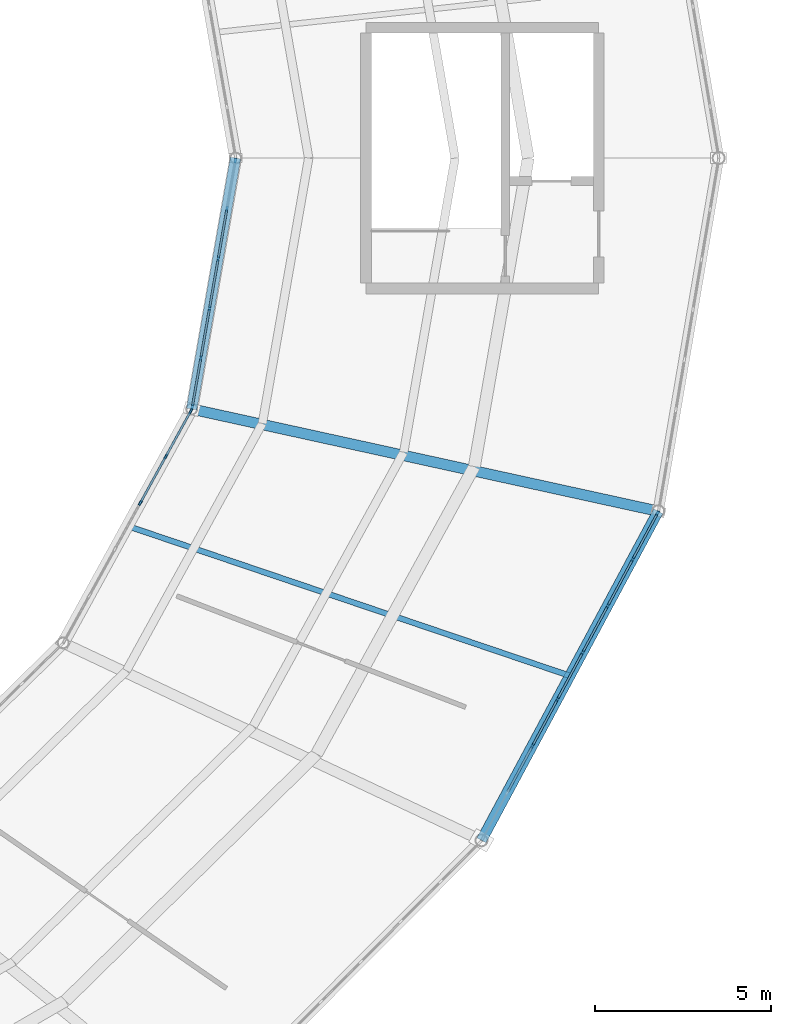
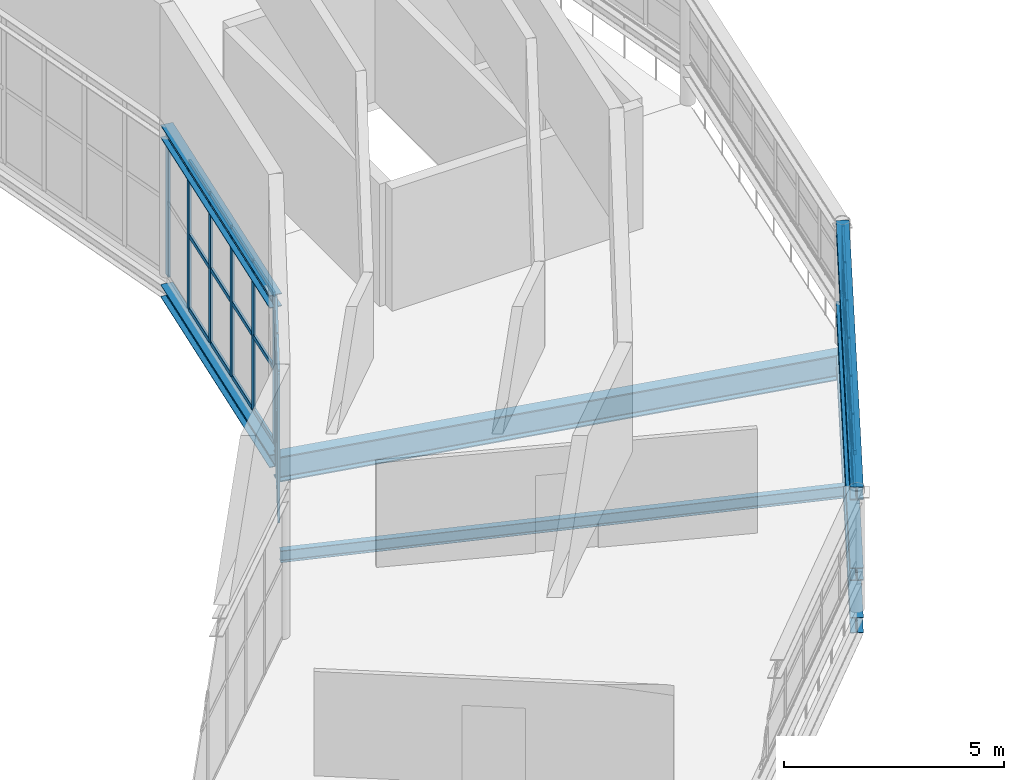
# One storey, part 63 of 123: 50 members, 7 beams, 3 elements without a shape of their own.
"""IFC4 building model written with IfcOpenShell, lengths in metres."""

from ifc_helpers import new_model, si_unit, direction, frame, origin, origin_2d, place, context, subcontext, project, spatial, rectangle, i_section, extrude, material, material_profile, profile_set, type_object, element, aggregate, save


model = new_model("IFC4")

# Units and contexts
model_context = context("Model", 3, precision=1e-05, world=origin(), true_north=direction((0.0, 1.0)))
body_context = subcontext(model_context, "Body", "Model", "MODEL_VIEW")
ifc_project = project(units=[si_unit("LENGTHUNIT", "METRE"), si_unit("AREAUNIT", "SQUARE_METRE"), si_unit("VOLUMEUNIT", "CUBIC_METRE"), si_unit("PLANEANGLEUNIT", "RADIAN"), si_unit("MASSUNIT", "GRAM", prefix="KILO")], contexts=[model_context])

# Site, building, storey
site_placement = place(None, origin())
site = spatial("IfcSite", under=ifc_project, at=site_placement, CompositionType="ELEMENT")
building_placement = place(site_placement, origin())
building = spatial("IfcBuilding", under=site, at=building_placement, Name="Kildeholm Park Wholesale Market", CompositionType="ELEMENT")
storey_placement = place(building_placement, frame((0.0, 0.0, 9.60009765625)))
storey = spatial("IfcBuildingStorey", under=building, at=storey_placement, Name="L02", CompositionType="ELEMENT", Elevation=9.60009765625)

# Beams
ifc_material_1 = material(Name="Steel S355", Category="steel")
ifc_material_profile_1 = material_profile(ifc_material_1, i_section(OverallWidth=0.300048828125, OverallDepth=0.699951171875, WebThickness=0.01708984375, FlangeThickness=0.031982421875, FilletRadius=0.027099609375, at=origin_2d()), Name="HEB 700")
ifc_profile_set_1 = profile_set([ifc_material_profile_1], Name="Steel S355")
beam_type_1 = type_object("IfcBeamType", Name="Beam B-G01 HEB 700", PredefinedType="BEAM", material=ifc_profile_set_1)
beam_1_placement = place(storey_placement, frame((134.256103515625, 82.382080078125, -0.60009765625), z_axis=(0.976846137752, -0.213943037181, 0.0), x_axis=(0.213943037181, 0.976846137752, 0.0)))
element("IfcBeam", 1, at=beam_1_placement, inside=storey, type_object=beam_type_1, Name="Beam BM-V1-L02-R1-23 BM-0211", PredefinedType="BEAM", context=body_context, shape_type="SweptSolid", body=[
    extrude(i_section(OverallWidth=0.300048828125, OverallDepth=0.699951171875, WebThickness=0.01708984375, FlangeThickness=0.031982421875, FilletRadius=0.027099609375, at=origin_2d()), origin(), (0.0, 0.0, 1.0), 13.546630859375),
])
ifc_material_profile_2 = material_profile(ifc_material_1, i_section(OverallWidth=0.300048828125, OverallDepth=0.35009765625, WebThickness=0.010009765625, FlangeThickness=0.017578125, FilletRadius=0.027099609375, at=origin_2d()), Name="HEA 360")
ifc_profile_set_2 = profile_set([ifc_material_profile_2], Name="Steel S355")
beam_type_2 = type_object("IfcBeamType", Name="Beam B-R01 HEA 360", PredefinedType="BEAM", material=ifc_profile_set_2)
beam_2_placement = place(storey_placement, frame((134.256103515625, 82.382080078125, -0.42919921875), z_axis=(0.172146745201, 0.985071316259, 0.0), x_axis=(-0.985071316259, 0.172146745201, 0.0)))
element("IfcBeam", 2, at=beam_2_placement, inside=storey, type_object=beam_type_2, Name="Beam BM-V1-L02-CI-23 BM-0216", PredefinedType="BEAM", context=body_context, shape_type="SweptSolid", body=[
    extrude(i_section(OverallWidth=0.300048828125, OverallDepth=0.35009765625, WebThickness=0.010009765625, FlangeThickness=0.017578125, FilletRadius=0.027099609375, at=origin_2d()), origin(), (0.0, 0.0, 1.0), 7.225830078125),
])
beam_3_placement = place(storey_placement, frame((142.47412109375, 70.14990234375, 0.94775390625), z_axis=(0.473287580572, 0.880907978211, 0.0), x_axis=(-0.880907978211, 0.473287580572, 0.0)))
element("IfcBeam", 3, at=beam_3_placement, inside=storey, type_object=beam_type_2, Name="Beam BM-V1-S1IN-22 BM-0353", PredefinedType="BEAM", context=body_context, shape_type="SweptSolid", body=[
    extrude(i_section(OverallWidth=0.300048828125, OverallDepth=0.35009765625, WebThickness=0.010009765625, FlangeThickness=0.017578125, FilletRadius=0.027099609375, at=origin_2d()), origin(), (0.0, 0.0, 1.0), 10.595947265625),
])
ifc_material_profile_3 = material_profile(ifc_material_1, i_section(OverallWidth=0.300048828125, OverallDepth=0.43994140625, WebThickness=0.011474609375, FlangeThickness=0.02099609375, FilletRadius=0.027099609375, at=origin_2d()), Name="HEA 450")
ifc_profile_set_3 = profile_set([ifc_material_profile_3], Name="Steel S355")
beam_type_3 = type_object("IfcBeamType", Name="Beam B-R02 HEA 450", PredefinedType="BEAM", material=ifc_profile_set_3)
beam_4_placement = place(storey_placement, frame((142.47412109375, 70.14990234375, -0.47412109375), z_axis=(0.473287580572, 0.880907978211, 0.0), x_axis=(-0.880907978211, 0.473287580572, 0.0)))
element("IfcBeam", 4, at=beam_4_placement, inside=storey, type_object=beam_type_3, Name="Beam BM-V1-L02-CM-22 BM-0207", PredefinedType="BEAM", context=body_context, shape_type="SweptSolid", body=[
    extrude(i_section(OverallWidth=0.300048828125, OverallDepth=0.43994140625, WebThickness=0.011474609375, FlangeThickness=0.02099609375, FilletRadius=0.027099609375, at=origin_2d()), origin(), (0.0, 0.0, 1.0), 10.595947265625),
])
ifc_material_profile_4 = material_profile(ifc_material_1, i_section(OverallWidth=0.300048828125, OverallDepth=0.360107421875, WebThickness=0.012451171875, FlangeThickness=0.0224609375, FilletRadius=0.027099609375, at=origin_2d()), Name="HEB 360")
ifc_profile_set_4 = profile_set([ifc_material_profile_4], Name="Steel S355")
beam_type_4 = type_object("IfcBeamType", Name="Beam B-R03 HEB 360", PredefinedType="BEAM", material=ifc_profile_set_4)
beam_5_placement = place(storey_placement, frame((142.47412109375, 70.14990234375, 3.190673828125), z_axis=(0.473287580572, 0.880907978211, 0.0), x_axis=(-0.880907978211, 0.473287580572, 0.0)))
element("IfcBeam", 5, at=beam_5_placement, inside=storey, type_object=beam_type_4, Name="Beam BM-V1-RF-M1-22 BM-0354", PredefinedType="BEAM", context=body_context, shape_type="SweptSolid", body=[
    extrude(i_section(OverallWidth=0.300048828125, OverallDepth=0.360107421875, WebThickness=0.012451171875, FlangeThickness=0.0224609375, FilletRadius=0.027099609375, at=origin_2d()), origin(), (0.0, 0.0, 1.0), 10.595947265625),
])
beam_6_placement = place(storey_placement, frame((134.256103515625, 82.382080078125, 4.002685546875), z_axis=(0.172146745201, 0.985071316259, 0.0), x_axis=(-0.985071316259, 0.172146745201, 0.0)))
element("IfcBeam", 6, at=beam_6_placement, inside=storey, type_object=beam_type_4, Name="Beam BM-V1-RF-IN-23 BM-0361", PredefinedType="BEAM", context=body_context, shape_type="SweptSolid", body=[
    extrude(i_section(OverallWidth=0.300048828125, OverallDepth=0.360107421875, WebThickness=0.012451171875, FlangeThickness=0.0224609375, FilletRadius=0.027099609375, at=origin_2d()), origin(), (0.0, 0.0, 1.0), 7.225830078125),
])
ifc_material_profile_5 = material_profile(ifc_material_1, i_section(OverallWidth=0.159912109375, OverallDepth=0.330078125, WebThickness=0.007568359375, FlangeThickness=0.011474609375, FilletRadius=0.01806640625, at=origin_2d()), Name="IPE 330")
ifc_profile_set_5 = profile_set([ifc_material_profile_5], Name="Steel S355")
beam_type_5 = type_object("IfcBeamType", Name="Beam J-03 IPE 330", PredefinedType="JOIST", material=ifc_profile_set_5)
beam_7_placement = place(storey_placement, frame((132.451904296875, 79.0595703125, -0.4150390625), z_axis=(0.947177362485, -0.320710218103, 0.0), x_axis=(0.320710218103, 0.947177362485, 0.0)))
element("IfcBeam", 7, at=beam_7_placement, inside=storey, type_object=beam_type_5, Name="Beam JT-V1-L02-22 BM-0209", PredefinedType="JOIST", context=body_context, shape_type="SweptSolid", body=[
    extrude(i_section(OverallWidth=0.159912109375, OverallDepth=0.330078125, WebThickness=0.007568359375, FlangeThickness=0.011474609375, FilletRadius=0.01806640625, at=origin_2d()), origin(), (0.0, 0.0, 1.0), 13.20849609375),
])

# Curtain wall, members
ifc_material_2 = material(Name="Anodised aluminium and low-E double-glazed glass", Category="aluminium")
curtain_wall_type = type_object("IfcCurtainWallType", Name="Clerestory daylight stick curtain wall CW-02", PredefinedType="NOTDEFINED", material=ifc_material_2)
curtain_wall_1_placement = place(storey_placement, origin())
curtain_wall_1 = element("IfcCurtainWall", 8, at=curtain_wall_1_placement, inside=storey, type_object=curtain_wall_type, Name="Curtain wall CW-V1-CL-22 CW-0110", PredefinedType="NOTDEFINED")
ifc_material_3 = material(Name="Anodised aluminium", Category="aluminium")
ifc_material_profile_6 = material_profile(ifc_material_3, rectangle(XDim=0.06005859375, YDim=0.14990234375, at=origin_2d()), Name="CWM 60x150")
ifc_profile_set_6 = profile_set([ifc_material_profile_6], Name="Anodised aluminium")
member_type_1 = type_object("IfcMemberType", Name="Curtain-wall mullion CWM-3 CWM 60x150", PredefinedType="MULLION", material=ifc_profile_set_6)
member_1_placement = place(storey_placement, frame((143.92138671875, 72.829833984375, 1.349853515625), z_axis=(0.0, 0.0, 1.0), x_axis=(-0.880879905062, 0.473339828092, 0.0)))
member_1 = element("IfcMember", 9, at=member_1_placement, type_object=member_type_1, Name="CW-02 mullion 3 MEM-3433", PredefinedType="MULLION", context=body_context, shape_type="SweptSolid", body=[
    extrude(rectangle(XDim=0.06005859375, YDim=0.14990234375, at=origin_2d()), origin(), (0.0, 0.0, 1.0), 1.900146484375),
])
member_2_placement = place(storey_placement, frame((144.63232421875, 74.1533203125, 1.349853515625), z_axis=(0.0, 0.0, 1.0), x_axis=(-0.880879905062, 0.473339828092, 0.0)))
member_2 = element("IfcMember", 10, at=member_2_placement, type_object=member_type_1, Name="CW-02 mullion 4 MEM-3434", PredefinedType="MULLION", context=body_context, shape_type="SweptSolid", body=[
    extrude(rectangle(XDim=0.06005859375, YDim=0.14990234375, at=origin_2d()), origin(), (0.0, 0.0, 1.0), 1.900146484375),
])
member_3_placement = place(storey_placement, frame((145.343505859375, 75.476806640625, 1.349853515625), z_axis=(0.0, 0.0, 1.0), x_axis=(-0.880879905062, 0.473339828092, 0.0)))
member_3 = element("IfcMember", 11, at=member_3_placement, type_object=member_type_1, Name="CW-02 mullion 5 MEM-3435", PredefinedType="MULLION", context=body_context, shape_type="SweptSolid", body=[
    extrude(rectangle(XDim=0.06005859375, YDim=0.14990234375, at=origin_2d()), origin(), (0.0, 0.0, 1.0), 1.900146484375),
])
member_4_placement = place(storey_placement, frame((146.0546875, 76.800048828125, 1.349853515625), z_axis=(0.0, 0.0, 1.0), x_axis=(-0.880879905062, 0.473339828092, 0.0)))
member_4 = element("IfcMember", 12, at=member_4_placement, type_object=member_type_1, Name="CW-02 mullion 6 MEM-3436", PredefinedType="MULLION", context=body_context, shape_type="SweptSolid", body=[
    extrude(rectangle(XDim=0.06005859375, YDim=0.14990234375, at=origin_2d()), origin(), (0.0, 0.0, 1.0), 1.900146484375),
])
member_5_placement = place(storey_placement, frame((146.765869140625, 78.12353515625, 1.349853515625), z_axis=(0.0, 0.0, 1.0), x_axis=(-0.880879905062, 0.473339828092, 0.0)))
member_5 = element("IfcMember", 13, at=member_5_placement, type_object=member_type_1, Name="CW-02 mullion 7 MEM-3437", PredefinedType="MULLION", context=body_context, shape_type="SweptSolid", body=[
    extrude(rectangle(XDim=0.06005859375, YDim=0.14990234375, at=origin_2d()), origin(), (0.0, 0.0, 1.0), 1.900146484375),
])
member_6_placement = place(storey_placement, frame((147.462890625, 79.420654296875, 1.349853515625), z_axis=(0.0, 0.0, 1.0), x_axis=(-0.880879905062, 0.473339828092, 0.0)))
member_6 = element("IfcMember", 14, at=member_6_placement, type_object=member_type_1, Name="CW-02 mullion 8 MEM-3438", PredefinedType="MULLION", context=body_context, shape_type="SweptSolid", body=[
    extrude(rectangle(XDim=0.06005859375, YDim=0.14990234375, at=origin_2d()), origin(), (0.0, 0.0, 1.0), 1.900146484375),
])

curtain_wall_2_placement = place(storey_placement, origin())
curtain_wall_2 = element("IfcCurtainWall", 15, at=curtain_wall_2_placement, inside=storey, type_object=curtain_wall_type, Name="Curtain wall CW-V1-IN2-22 CW-0113", PredefinedType="NOTDEFINED")
member_7_placement = place(storey_placement, frame((132.7998046875, 79.720703125, 0.0), z_axis=(0.0, 0.0, 1.0), x_axis=(-0.876308922506, 0.481749595055, 0.0)))
member_7 = element("IfcMember", 16, at=member_7_placement, type_object=member_type_1, Name="CW-02 mullion 4 MEM-3505", PredefinedType="MULLION", context=body_context, shape_type="SweptSolid", body=[
    extrude(rectangle(XDim=0.06005859375, YDim=0.14990234375, at=origin_2d()), origin(), (0.0, 0.0, 1.0), 4.14990234375),
])
member_8_placement = place(storey_placement, frame((133.521484375, 81.033447265625, 0.0), z_axis=(0.0, 0.0, 1.0), x_axis=(-0.876308922506, 0.481749595055, 0.0)))
member_8 = element("IfcMember", 17, at=member_8_placement, type_object=member_type_1, Name="CW-02 mullion 5 MEM-3506", PredefinedType="MULLION", context=body_context, shape_type="SweptSolid", body=[
    extrude(rectangle(XDim=0.06005859375, YDim=0.14990234375, at=origin_2d()), origin(), (0.0, 0.0, 1.0), 4.14990234375),
])
member_9_placement = place(storey_placement, frame((134.228515625, 82.31982421875, 0.0), z_axis=(0.0, 0.0, 1.0), x_axis=(-0.876308922506, 0.481749595055, 0.0)))
member_9 = element("IfcMember", 18, at=member_9_placement, type_object=member_type_1, Name="CW-02 mullion 6 MEM-3507", PredefinedType="MULLION", context=body_context, shape_type="SweptSolid", body=[
    extrude(rectangle(XDim=0.06005859375, YDim=0.14990234375, at=origin_2d()), origin(), (0.0, 0.0, 1.0), 4.14990234375),
])

curtain_wall_3_placement = place(storey_placement, origin())
curtain_wall_3 = element("IfcCurtainWall", 19, at=curtain_wall_3_placement, inside=storey, type_object=curtain_wall_type, Name="Curtain wall CW-V1-IN2-23 CW-0118", PredefinedType="NOTDEFINED")
member_10_placement = place(storey_placement, frame((134.275146484375, 82.450439453125, 0.0), z_axis=(0.0, 0.0, 1.0), x_axis=(-0.985073802851, 0.172132515628, 0.0)))
member_10 = element("IfcMember", 20, at=member_10_placement, type_object=member_type_1, Name="CW-02 mullion 1 MEM-3627", PredefinedType="MULLION", context=body_context, shape_type="SweptSolid", body=[
    extrude(rectangle(XDim=0.06005859375, YDim=0.14990234375, at=origin_2d()), origin(), (0.0, 0.0, 1.0), 4.14990234375),
])
member_11_placement = place(storey_placement, frame((134.51611328125, 83.828857421875, 0.0), z_axis=(0.0, 0.0, 1.0), x_axis=(-0.985073802851, 0.172132515628, 0.0)))
member_11 = element("IfcMember", 21, at=member_11_placement, type_object=member_type_1, Name="CW-02 mullion 2 MEM-3628", PredefinedType="MULLION", context=body_context, shape_type="SweptSolid", body=[
    extrude(rectangle(XDim=0.06005859375, YDim=0.14990234375, at=origin_2d()), origin(), (0.0, 0.0, 1.0), 4.14990234375),
])
member_12_placement = place(storey_placement, frame((134.761962890625, 85.236572265625, 0.0), z_axis=(0.0, 0.0, 1.0), x_axis=(-0.985073802851, 0.172132515628, 0.0)))
member_12 = element("IfcMember", 22, at=member_12_placement, type_object=member_type_1, Name="CW-02 mullion 3 MEM-3629", PredefinedType="MULLION", context=body_context, shape_type="SweptSolid", body=[
    extrude(rectangle(XDim=0.06005859375, YDim=0.14990234375, at=origin_2d()), origin(), (0.0, 0.0, 1.0), 4.14990234375),
])
member_13_placement = place(storey_placement, frame((135.008056640625, 86.644287109375, 0.0), z_axis=(0.0, 0.0, 1.0), x_axis=(-0.985073802851, 0.172132515628, 0.0)))
member_13 = element("IfcMember", 23, at=member_13_placement, type_object=member_type_1, Name="CW-02 mullion 4 MEM-3630", PredefinedType="MULLION", context=body_context, shape_type="SweptSolid", body=[
    extrude(rectangle(XDim=0.06005859375, YDim=0.14990234375, at=origin_2d()), origin(), (0.0, 0.0, 1.0), 4.14990234375),
])
member_14_placement = place(storey_placement, frame((135.25390625, 88.05224609375, 0.0), z_axis=(0.0, 0.0, 1.0), x_axis=(-0.985073802851, 0.172132515628, 0.0)))
member_14 = element("IfcMember", 24, at=member_14_placement, type_object=member_type_1, Name="CW-02 mullion 5 MEM-3631", PredefinedType="MULLION", context=body_context, shape_type="SweptSolid", body=[
    extrude(rectangle(XDim=0.06005859375, YDim=0.14990234375, at=origin_2d()), origin(), (0.0, 0.0, 1.0), 4.14990234375),
])
member_15_placement = place(storey_placement, frame((135.494873046875, 89.430419921875, 0.0), z_axis=(0.0, 0.0, 1.0), x_axis=(-0.985073802851, 0.172132515628, 0.0)))
member_15 = element("IfcMember", 25, at=member_15_placement, type_object=member_type_1, Name="CW-02 mullion 6 MEM-3632", PredefinedType="MULLION", context=body_context, shape_type="SweptSolid", body=[
    extrude(rectangle(XDim=0.06005859375, YDim=0.14990234375, at=origin_2d()), origin(), (0.0, 0.0, 1.0), 4.14990234375),
])

# Member
ifc_material_profile_7 = material_profile(ifc_material_3, rectangle(XDim=0.06005859375, YDim=0.1201171875, at=origin_2d()), Name="CWT 60x120")
ifc_profile_set_7 = profile_set([ifc_material_profile_7], Name="Anodised aluminium")
member_type_2 = type_object("IfcMemberType", Name="Curtain-wall transom CWT-3 CWT 60x120", PredefinedType="USERDEFINED", material=ifc_profile_set_7)
member_16_placement = place(storey_placement, frame((143.224365234375, 71.532958984375, 2.2998046875), z_axis=(0.473292074574, 0.880905563693, 0.0), x_axis=(-0.880905563693, 0.473292074574, 0.0)))
member_16 = element("IfcMember", 26, at=member_16_placement, type_object=member_type_2, Name="CW-02 transom 2.2 MEM-3443", ObjectType="TRANSOM", PredefinedType="USERDEFINED", context=body_context, shape_type="SweptSolid", body=[
    extrude(rectangle(XDim=0.06005859375, YDim=0.1201171875, at=origin_2d()), origin(), (0.0, 0.0, 1.0), 1.4423828125),
])

member_17_placement = place(storey_placement, frame((143.224365234375, 71.532958984375, 3.219970703125), z_axis=(0.473292074574, 0.880905563693, 0.0), x_axis=(-0.880905563693, 0.473292074574, 0.0)))
member_17 = element("IfcMember", 27, at=member_17_placement, type_object=member_type_2, Name="CW-02 transom 2.3 MEM-3444", ObjectType="TRANSOM", PredefinedType="USERDEFINED", context=body_context, shape_type="SweptSolid", body=[
    extrude(rectangle(XDim=0.06005859375, YDim=0.1201171875, at=origin_2d()), origin(), (0.0, 0.0, 1.0), 1.4423828125),
])

member_18_placement = place(storey_placement, frame((143.935546875, 72.856201171875, 1.3798828125), z_axis=(0.473221508617, 0.880943473659, 0.0), x_axis=(-0.880943473659, 0.473221508617, 0.0)))
member_18 = element("IfcMember", 28, at=member_18_placement, type_object=member_type_2, Name="CW-02 transom 3.1 MEM-3445", ObjectType="TRANSOM", PredefinedType="USERDEFINED", context=body_context, shape_type="SweptSolid", body=[
    extrude(rectangle(XDim=0.06005859375, YDim=0.1201171875, at=origin_2d()), origin(), (0.0, 0.0, 1.0), 1.4423828125),
])

member_19_placement = place(storey_placement, frame((143.935546875, 72.856201171875, 2.2998046875), z_axis=(0.473221508617, 0.880943473659, 0.0), x_axis=(-0.880943473659, 0.473221508617, 0.0)))
member_19 = element("IfcMember", 29, at=member_19_placement, type_object=member_type_2, Name="CW-02 transom 3.2 MEM-3446", ObjectType="TRANSOM", PredefinedType="USERDEFINED", context=body_context, shape_type="SweptSolid", body=[
    extrude(rectangle(XDim=0.06005859375, YDim=0.1201171875, at=origin_2d()), origin(), (0.0, 0.0, 1.0), 1.4423828125),
])

member_20_placement = place(storey_placement, frame((143.935546875, 72.856201171875, 3.219970703125), z_axis=(0.473221508617, 0.880943473659, 0.0), x_axis=(-0.880943473659, 0.473221508617, 0.0)))
member_20 = element("IfcMember", 30, at=member_20_placement, type_object=member_type_2, Name="CW-02 transom 3.3 MEM-3447", ObjectType="TRANSOM", PredefinedType="USERDEFINED", context=body_context, shape_type="SweptSolid", body=[
    extrude(rectangle(XDim=0.06005859375, YDim=0.1201171875, at=origin_2d()), origin(), (0.0, 0.0, 1.0), 1.4423828125),
])

member_21_placement = place(storey_placement, frame((144.646728515625, 74.1796875, 1.3798828125), z_axis=(0.473292074574, 0.880905563693, 0.0), x_axis=(-0.880905563693, 0.473292074574, 0.0)))
member_21 = element("IfcMember", 31, at=member_21_placement, type_object=member_type_2, Name="CW-02 transom 4.1 MEM-3448", ObjectType="TRANSOM", PredefinedType="USERDEFINED", context=body_context, shape_type="SweptSolid", body=[
    extrude(rectangle(XDim=0.06005859375, YDim=0.1201171875, at=origin_2d()), origin(), (0.0, 0.0, 1.0), 1.4423828125),
])

member_22_placement = place(storey_placement, frame((144.646728515625, 74.1796875, 2.2998046875), z_axis=(0.473292074574, 0.880905563693, 0.0), x_axis=(-0.880905563693, 0.473292074574, 0.0)))
member_22 = element("IfcMember", 32, at=member_22_placement, type_object=member_type_2, Name="CW-02 transom 4.2 MEM-3449", ObjectType="TRANSOM", PredefinedType="USERDEFINED", context=body_context, shape_type="SweptSolid", body=[
    extrude(rectangle(XDim=0.06005859375, YDim=0.1201171875, at=origin_2d()), origin(), (0.0, 0.0, 1.0), 1.4423828125),
])

member_23_placement = place(storey_placement, frame((144.646728515625, 74.1796875, 3.219970703125), z_axis=(0.473292074574, 0.880905563693, 0.0), x_axis=(-0.880905563693, 0.473292074574, 0.0)))
member_23 = element("IfcMember", 33, at=member_23_placement, type_object=member_type_2, Name="CW-02 transom 4.3 MEM-3450", ObjectType="TRANSOM", PredefinedType="USERDEFINED", context=body_context, shape_type="SweptSolid", body=[
    extrude(rectangle(XDim=0.06005859375, YDim=0.1201171875, at=origin_2d()), origin(), (0.0, 0.0, 1.0), 1.4423828125),
])

member_24_placement = place(storey_placement, frame((145.357666015625, 75.503173828125, 1.3798828125), z_axis=(0.473423415048, 0.880834984594, 0.0), x_axis=(-0.880834984594, 0.473423415048, 0.0)))
member_24 = element("IfcMember", 34, at=member_24_placement, type_object=member_type_2, Name="CW-02 transom 5.1 MEM-3451", ObjectType="TRANSOM", PredefinedType="USERDEFINED", context=body_context, shape_type="SweptSolid", body=[
    extrude(rectangle(XDim=0.06005859375, YDim=0.1201171875, at=origin_2d()), origin(), (0.0, 0.0, 1.0), 1.4423828125),
])

member_25_placement = place(storey_placement, frame((145.357666015625, 75.503173828125, 2.2998046875), z_axis=(0.473423415048, 0.880834984594, 0.0), x_axis=(-0.880834984594, 0.473423415048, 0.0)))
member_25 = element("IfcMember", 35, at=member_25_placement, type_object=member_type_2, Name="CW-02 transom 5.2 MEM-3452", ObjectType="TRANSOM", PredefinedType="USERDEFINED", context=body_context, shape_type="SweptSolid", body=[
    extrude(rectangle(XDim=0.06005859375, YDim=0.1201171875, at=origin_2d()), origin(), (0.0, 0.0, 1.0), 1.4423828125),
])

member_26_placement = place(storey_placement, frame((145.357666015625, 75.503173828125, 3.219970703125), z_axis=(0.473423415048, 0.880834984594, 0.0), x_axis=(-0.880834984594, 0.473423415048, 0.0)))
member_26 = element("IfcMember", 36, at=member_26_placement, type_object=member_type_2, Name="CW-02 transom 5.3 MEM-3453", ObjectType="TRANSOM", PredefinedType="USERDEFINED", context=body_context, shape_type="SweptSolid", body=[
    extrude(rectangle(XDim=0.06005859375, YDim=0.1201171875, at=origin_2d()), origin(), (0.0, 0.0, 1.0), 1.4423828125),
])

member_27_placement = place(storey_placement, frame((146.06884765625, 76.82666015625, 1.3798828125), z_axis=(0.473423415048, 0.880834984594, 0.0), x_axis=(-0.880834984594, 0.473423415048, 0.0)))
member_27 = element("IfcMember", 37, at=member_27_placement, type_object=member_type_2, Name="CW-02 transom 6.1 MEM-3454", ObjectType="TRANSOM", PredefinedType="USERDEFINED", context=body_context, shape_type="SweptSolid", body=[
    extrude(rectangle(XDim=0.06005859375, YDim=0.1201171875, at=origin_2d()), origin(), (0.0, 0.0, 1.0), 1.4423828125),
])

member_28_placement = place(storey_placement, frame((146.06884765625, 76.82666015625, 2.2998046875), z_axis=(0.473423415048, 0.880834984594, 0.0), x_axis=(-0.880834984594, 0.473423415048, 0.0)))
member_28 = element("IfcMember", 38, at=member_28_placement, type_object=member_type_2, Name="CW-02 transom 6.2 MEM-3455", ObjectType="TRANSOM", PredefinedType="USERDEFINED", context=body_context, shape_type="SweptSolid", body=[
    extrude(rectangle(XDim=0.06005859375, YDim=0.1201171875, at=origin_2d()), origin(), (0.0, 0.0, 1.0), 1.4423828125),
])

member_29_placement = place(storey_placement, frame((146.06884765625, 76.82666015625, 3.219970703125), z_axis=(0.473423415048, 0.880834984594, 0.0), x_axis=(-0.880834984594, 0.473423415048, 0.0)))
member_29 = element("IfcMember", 39, at=member_29_placement, type_object=member_type_2, Name="CW-02 transom 6.3 MEM-3456", ObjectType="TRANSOM", PredefinedType="USERDEFINED", context=body_context, shape_type="SweptSolid", body=[
    extrude(rectangle(XDim=0.06005859375, YDim=0.1201171875, at=origin_2d()), origin(), (0.0, 0.0, 1.0), 1.4423828125),
])

member_30_placement = place(storey_placement, frame((146.780029296875, 78.14990234375, 1.3798828125), z_axis=(0.473295580146, 0.880903680214, 0.0), x_axis=(-0.880903680214, 0.473295580146, 0.0)))
member_30 = element("IfcMember", 40, at=member_30_placement, type_object=member_type_2, Name="CW-02 transom 7.1 MEM-3457", ObjectType="TRANSOM", PredefinedType="USERDEFINED", context=body_context, shape_type="SweptSolid", body=[
    extrude(rectangle(XDim=0.06005859375, YDim=0.1201171875, at=origin_2d()), origin(), (0.0, 0.0, 1.0), 1.412353515625),
])

member_31_placement = place(storey_placement, frame((146.780029296875, 78.14990234375, 2.2998046875), z_axis=(0.473295580146, 0.880903680214, 0.0), x_axis=(-0.880903680214, 0.473295580146, 0.0)))
member_31 = element("IfcMember", 41, at=member_31_placement, type_object=member_type_2, Name="CW-02 transom 7.2 MEM-3458", ObjectType="TRANSOM", PredefinedType="USERDEFINED", context=body_context, shape_type="SweptSolid", body=[
    extrude(rectangle(XDim=0.06005859375, YDim=0.1201171875, at=origin_2d()), origin(), (0.0, 0.0, 1.0), 1.412353515625),
])

member_32_placement = place(storey_placement, frame((146.780029296875, 78.14990234375, 3.219970703125), z_axis=(0.473295580146, 0.880903680214, 0.0), x_axis=(-0.880903680214, 0.473295580146, 0.0)))
member_32 = element("IfcMember", 42, at=member_32_placement, type_object=member_type_2, Name="CW-02 transom 7.3 MEM-3459", ObjectType="TRANSOM", PredefinedType="USERDEFINED", context=body_context, shape_type="SweptSolid", body=[
    extrude(rectangle(XDim=0.06005859375, YDim=0.1201171875, at=origin_2d()), origin(), (0.0, 0.0, 1.0), 1.412353515625),
])

aggregate(curtain_wall_1, [member_1, member_2, member_3, member_4, member_5, member_6, member_16, member_17, member_18, member_19, member_20, member_21, member_22, member_23, member_24, member_25, member_26, member_27, member_28, member_29, member_30, member_31, member_32])

member_33_placement = place(storey_placement, frame((132.814208984375, 79.7470703125, 0.02978515625), z_axis=(0.481716674184, 0.876327019903, 0.0), x_axis=(-0.876327019903, 0.481716674184, 0.0)))
member_33 = element("IfcMember", 43, at=member_33_placement, type_object=member_type_2, Name="CW-02 transom 4.1 MEM-3517", ObjectType="TRANSOM", PredefinedType="USERDEFINED", context=body_context, shape_type="SweptSolid", body=[
    extrude(rectangle(XDim=0.06005859375, YDim=0.1201171875, at=origin_2d()), origin(), (0.0, 0.0, 1.0), 1.437744140625),
])

member_34_placement = place(storey_placement, frame((132.814208984375, 79.7470703125, 2.074951171875), z_axis=(0.481716674184, 0.876327019903, 0.0), x_axis=(-0.876327019903, 0.481716674184, 0.0)))
member_34 = element("IfcMember", 44, at=member_34_placement, type_object=member_type_2, Name="CW-02 transom 4.2 MEM-3518", ObjectType="TRANSOM", PredefinedType="USERDEFINED", context=body_context, shape_type="SweptSolid", body=[
    extrude(rectangle(XDim=0.06005859375, YDim=0.1201171875, at=origin_2d()), origin(), (0.0, 0.0, 1.0), 1.437744140625),
])

member_35_placement = place(storey_placement, frame((132.814208984375, 79.7470703125, 4.119873046875), z_axis=(0.481716674184, 0.876327019903, 0.0), x_axis=(-0.876327019903, 0.481716674184, 0.0)))
member_35 = element("IfcMember", 45, at=member_35_placement, type_object=member_type_2, Name="CW-02 transom 4.3 MEM-3519", ObjectType="TRANSOM", PredefinedType="USERDEFINED", context=body_context, shape_type="SweptSolid", body=[
    extrude(rectangle(XDim=0.06005859375, YDim=0.1201171875, at=origin_2d()), origin(), (0.0, 0.0, 1.0), 1.437744140625),
])

member_36_placement = place(storey_placement, frame((133.535888671875, 81.0595703125, 0.02978515625), z_axis=(0.481692421083, 0.876340351388, 0.0), x_axis=(-0.876340351388, 0.481692421083, 0.0)))
member_36 = element("IfcMember", 46, at=member_36_placement, type_object=member_type_2, Name="CW-02 transom 5.1 MEM-3520", ObjectType="TRANSOM", PredefinedType="USERDEFINED", context=body_context, shape_type="SweptSolid", body=[
    extrude(rectangle(XDim=0.06005859375, YDim=0.1201171875, at=origin_2d()), origin(), (0.0, 0.0, 1.0), 1.407958984375),
])

member_37_placement = place(storey_placement, frame((133.535888671875, 81.0595703125, 2.074951171875), z_axis=(0.481692421083, 0.876340351388, 0.0), x_axis=(-0.876340351388, 0.481692421083, 0.0)))
member_37 = element("IfcMember", 47, at=member_37_placement, type_object=member_type_2, Name="CW-02 transom 5.2 MEM-3521", ObjectType="TRANSOM", PredefinedType="USERDEFINED", context=body_context, shape_type="SweptSolid", body=[
    extrude(rectangle(XDim=0.06005859375, YDim=0.1201171875, at=origin_2d()), origin(), (0.0, 0.0, 1.0), 1.407958984375),
])

member_38_placement = place(storey_placement, frame((133.535888671875, 81.0595703125, 4.119873046875), z_axis=(0.481692421083, 0.876340351388, 0.0), x_axis=(-0.876340351388, 0.481692421083, 0.0)))
member_38 = element("IfcMember", 48, at=member_38_placement, type_object=member_type_2, Name="CW-02 transom 5.3 MEM-3522", ObjectType="TRANSOM", PredefinedType="USERDEFINED", context=body_context, shape_type="SweptSolid", body=[
    extrude(rectangle(XDim=0.06005859375, YDim=0.1201171875, at=origin_2d()), origin(), (0.0, 0.0, 1.0), 1.407958984375),
])

aggregate(curtain_wall_2, [member_7, member_8, member_9, member_33, member_34, member_35, member_36, member_37, member_38])

member_39_placement = place(storey_placement, frame((134.2802734375, 82.480224609375, 0.02978515625), z_axis=(0.172110548446, 0.98507764116, 0.0), x_axis=(-0.98507764116, 0.172110548446, 0.0)))
member_39 = element("IfcMember", 49, at=member_39_placement, type_object=member_type_2, Name="CW-02 transom 1.1 MEM-3633", ObjectType="TRANSOM", PredefinedType="USERDEFINED", context=body_context, shape_type="SweptSolid", body=[
    extrude(rectangle(XDim=0.06005859375, YDim=0.1201171875, at=origin_2d()), origin(), (0.0, 0.0, 1.0), 1.339111328125),
])

member_40_placement = place(storey_placement, frame((134.2802734375, 82.480224609375, 2.074951171875), z_axis=(0.172110548446, 0.98507764116, 0.0), x_axis=(-0.98507764116, 0.172110548446, 0.0)))
member_40 = element("IfcMember", 50, at=member_40_placement, type_object=member_type_2, Name="CW-02 transom 1.2 MEM-3634", ObjectType="TRANSOM", PredefinedType="USERDEFINED", context=body_context, shape_type="SweptSolid", body=[
    extrude(rectangle(XDim=0.06005859375, YDim=0.1201171875, at=origin_2d()), origin(), (0.0, 0.0, 1.0), 1.339111328125),
])

member_41_placement = place(storey_placement, frame((134.2802734375, 82.480224609375, 4.119873046875), z_axis=(0.172110548446, 0.98507764116, 0.0), x_axis=(-0.98507764116, 0.172110548446, 0.0)))
member_41 = element("IfcMember", 51, at=member_41_placement, type_object=member_type_2, Name="CW-02 transom 1.3 MEM-3635", ObjectType="TRANSOM", PredefinedType="USERDEFINED", context=body_context, shape_type="SweptSolid", body=[
    extrude(rectangle(XDim=0.06005859375, YDim=0.1201171875, at=origin_2d()), origin(), (0.0, 0.0, 1.0), 1.339111328125),
])

member_42_placement = place(storey_placement, frame((134.521240234375, 83.8583984375, 0.02978515625), z_axis=(0.172086175377, 0.985081899257, 0.0), x_axis=(-0.985081899257, 0.172086175377, 0.0)))
member_42 = element("IfcMember", 52, at=member_42_placement, type_object=member_type_2, Name="CW-02 transom 2.1 MEM-3636", ObjectType="TRANSOM", PredefinedType="USERDEFINED", context=body_context, shape_type="SweptSolid", body=[
    extrude(rectangle(XDim=0.06005859375, YDim=0.1201171875, at=origin_2d()), origin(), (0.0, 0.0, 1.0), 1.369140625),
])

member_43_placement = place(storey_placement, frame((134.521240234375, 83.8583984375, 2.074951171875), z_axis=(0.172086175377, 0.985081899257, 0.0), x_axis=(-0.985081899257, 0.172086175377, 0.0)))
member_43 = element("IfcMember", 53, at=member_43_placement, type_object=member_type_2, Name="CW-02 transom 2.2 MEM-3637", ObjectType="TRANSOM", PredefinedType="USERDEFINED", context=body_context, shape_type="SweptSolid", body=[
    extrude(rectangle(XDim=0.06005859375, YDim=0.1201171875, at=origin_2d()), origin(), (0.0, 0.0, 1.0), 1.369140625),
])

member_44_placement = place(storey_placement, frame((134.521240234375, 83.8583984375, 4.119873046875), z_axis=(0.172086175377, 0.985081899257, 0.0), x_axis=(-0.985081899257, 0.172086175377, 0.0)))
member_44 = element("IfcMember", 54, at=member_44_placement, type_object=member_type_2, Name="CW-02 transom 2.3 MEM-3638", ObjectType="TRANSOM", PredefinedType="USERDEFINED", context=body_context, shape_type="SweptSolid", body=[
    extrude(rectangle(XDim=0.06005859375, YDim=0.1201171875, at=origin_2d()), origin(), (0.0, 0.0, 1.0), 1.369140625),
])

member_45_placement = place(storey_placement, frame((134.76708984375, 85.26611328125, 0.02978515625), z_axis=(0.172259214119, 0.985051655067, 0.0), x_axis=(-0.985051655067, 0.172259214119, 0.0)))
member_45 = element("IfcMember", 55, at=member_45_placement, type_object=member_type_2, Name="CW-02 transom 3.1 MEM-3639", ObjectType="TRANSOM", PredefinedType="USERDEFINED", context=body_context, shape_type="SweptSolid", body=[
    extrude(rectangle(XDim=0.06005859375, YDim=0.1201171875, at=origin_2d()), origin(), (0.0, 0.0, 1.0), 1.369140625),
])

member_46_placement = place(storey_placement, frame((134.76708984375, 85.26611328125, 2.074951171875), z_axis=(0.172259214119, 0.985051655067, 0.0), x_axis=(-0.985051655067, 0.172259214119, 0.0)))
member_46 = element("IfcMember", 56, at=member_46_placement, type_object=member_type_2, Name="CW-02 transom 3.2 MEM-3640", ObjectType="TRANSOM", PredefinedType="USERDEFINED", context=body_context, shape_type="SweptSolid", body=[
    extrude(rectangle(XDim=0.06005859375, YDim=0.1201171875, at=origin_2d()), origin(), (0.0, 0.0, 1.0), 1.369140625),
])

member_47_placement = place(storey_placement, frame((134.76708984375, 85.26611328125, 4.119873046875), z_axis=(0.172259214119, 0.985051655067, 0.0), x_axis=(-0.985051655067, 0.172259214119, 0.0)))
member_47 = element("IfcMember", 57, at=member_47_placement, type_object=member_type_2, Name="CW-02 transom 3.3 MEM-3641", ObjectType="TRANSOM", PredefinedType="USERDEFINED", context=body_context, shape_type="SweptSolid", body=[
    extrude(rectangle(XDim=0.06005859375, YDim=0.1201171875, at=origin_2d()), origin(), (0.0, 0.0, 1.0), 1.369140625),
])

member_48_placement = place(storey_placement, frame((135.01318359375, 86.674072265625, 0.02978515625), z_axis=(0.172086175377, 0.985081899257, 0.0), x_axis=(-0.985081899257, 0.172086175377, 0.0)))
member_48 = element("IfcMember", 58, at=member_48_placement, type_object=member_type_2, Name="CW-02 transom 4.1 MEM-3642", ObjectType="TRANSOM", PredefinedType="USERDEFINED", context=body_context, shape_type="SweptSolid", body=[
    extrude(rectangle(XDim=0.06005859375, YDim=0.1201171875, at=origin_2d()), origin(), (0.0, 0.0, 1.0), 1.369140625),
])

member_49_placement = place(storey_placement, frame((135.01318359375, 86.674072265625, 2.074951171875), z_axis=(0.172086175377, 0.985081899257, 0.0), x_axis=(-0.985081899257, 0.172086175377, 0.0)))
member_49 = element("IfcMember", 59, at=member_49_placement, type_object=member_type_2, Name="CW-02 transom 4.2 MEM-3643", ObjectType="TRANSOM", PredefinedType="USERDEFINED", context=body_context, shape_type="SweptSolid", body=[
    extrude(rectangle(XDim=0.06005859375, YDim=0.1201171875, at=origin_2d()), origin(), (0.0, 0.0, 1.0), 1.369140625),
])

member_50_placement = place(storey_placement, frame((135.01318359375, 86.674072265625, 4.119873046875), z_axis=(0.172086175377, 0.985081899257, 0.0), x_axis=(-0.985081899257, 0.172086175377, 0.0)))
member_50 = element("IfcMember", 60, at=member_50_placement, type_object=member_type_2, Name="CW-02 transom 4.3 MEM-3644", ObjectType="TRANSOM", PredefinedType="USERDEFINED", context=body_context, shape_type="SweptSolid", body=[
    extrude(rectangle(XDim=0.06005859375, YDim=0.1201171875, at=origin_2d()), origin(), (0.0, 0.0, 1.0), 1.369140625),
])

aggregate(curtain_wall_3, [member_10, member_11, member_12, member_13, member_14, member_15, member_39, member_40, member_41, member_42, member_43, member_44, member_45, member_46, member_47, member_48, member_49, member_50])

save(model, "model.ifc")
